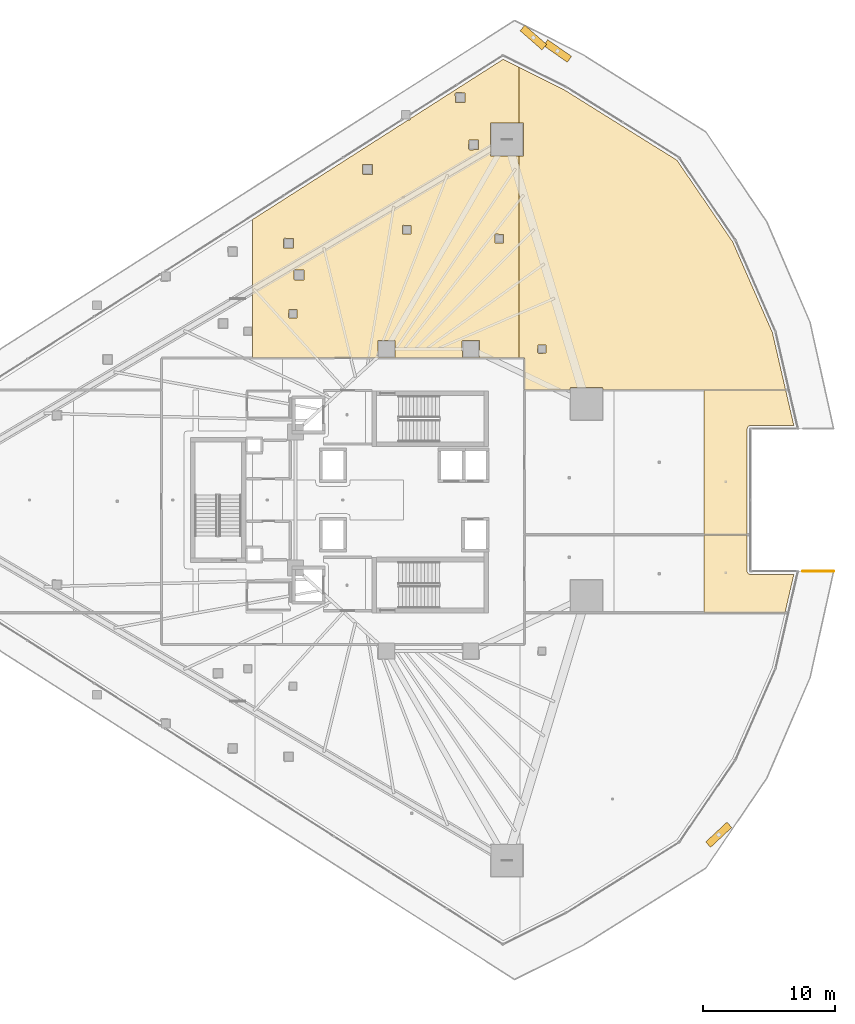
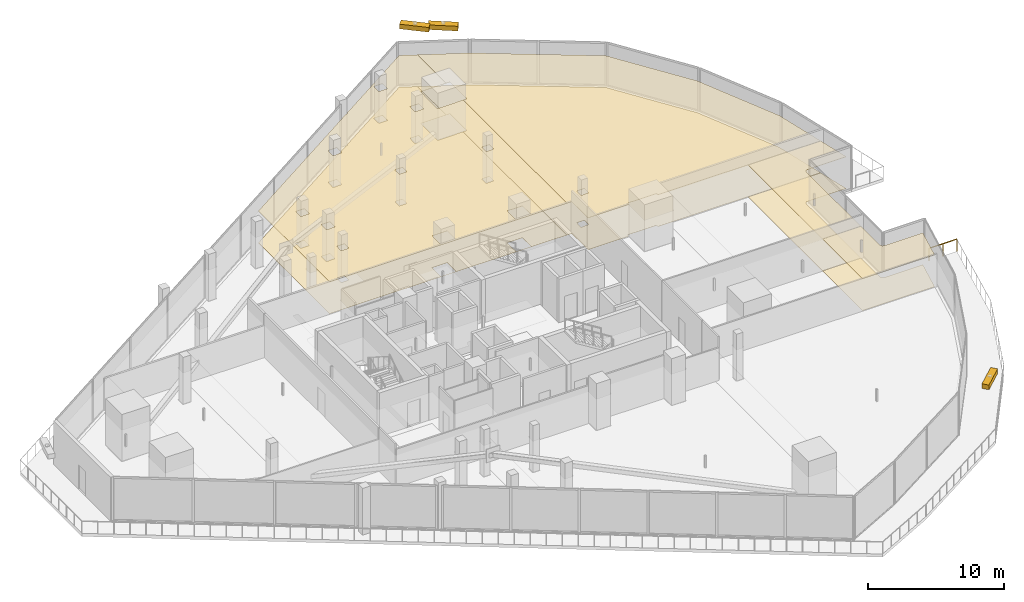
# One storey, part 43 of 43: 8 coverings, 3 shading devices, 1 railing.
"""IFC4 building model written with IfcOpenShell, lengths in metres."""

from ifc_helpers import new_model, si_unit, direction, frame, origin, origin_2d, place, context, subcontext, project, spatial, polyline, rectangle, circle, outline, extrude, material, layer, layer_set, type_object, element, save


model = new_model("IFC4")

# Units and contexts
model_context = context("Model", 3, precision=1e-05, world=origin(), true_north=direction((0.0, 1.0)))
body_context = subcontext(model_context, "Body", "Model", "MODEL_VIEW")
ifc_project = project(units=[si_unit("LENGTHUNIT", "METRE"), si_unit("AREAUNIT", "SQUARE_METRE"), si_unit("VOLUMEUNIT", "CUBIC_METRE"), si_unit("PLANEANGLEUNIT", "RADIAN"), si_unit("MASSUNIT", "GRAM", prefix="KILO")], contexts=[model_context])

# Site, building, storey
site_placement = place(None, origin())
site = spatial("IfcSite", under=ifc_project, at=site_placement, CompositionType="ELEMENT")
building_placement = place(site_placement, origin())
building = spatial("IfcBuilding", under=site, at=building_placement, Name="Qorvath Tower", CompositionType="ELEMENT")
storey_placement = place(building_placement, frame((0.0, 0.0, 36.60009765625)))
storey = spatial("IfcBuildingStorey", under=building, at=storey_placement, Name="L07", CompositionType="ELEMENT", Elevation=36.60009765625)

# Coverings
ifc_material_1 = material(Name="Acoustic mineral fibre ceiling tile", Category="gypsum")
ifc_layer_1 = layer(ifc_material_1, 0.030029296875)
ifc_layer_set_1 = layer_set([ifc_layer_1], Name="COV-CEIL")
covering_type_1 = type_object("IfcCoveringType", Name="COV-CEIL", PredefinedType="CEILING", material=ifc_layer_set_1)
covering_1_placement = place(storey_placement, frame((0.0, 0.0, 2.849853515625)))
element("IfcCovering", 1, at=covering_1_placement, inside=storey, type_object=covering_type_1, Name="L07 Suspended Acoustic Ceiling 011", PredefinedType="CEILING", context=body_context, shape_type="SweptSolid", body=[
    extrude(outline(polyline([(-21.806396484375, 28.820556640625), (-21.92626953125, 28.820556640625), (-33.744140625, 21.267578125), (-33.744140625, 10.762939453125), (-13.540771484375, 10.762939453125), (-13.540771484375, 26.0859375), (-15.664306640625, 26.07080078125), (-15.724365234375, 26.130615234375), (-15.706787109375, 28.5732421875), (-13.540771484375, 28.5732421875), (-13.540771484375, 32.800537109375), (-14.751708984375, 33.406005859375), (-21.746337890625, 28.935546875), (-21.806396484375, 28.820556640625)]), holes=[polyline([(-15.381103515625, 20.093017578125), (-15.321044921875, 20.153076171875), (-14.728759765625, 20.135498046875), (-14.728759765625, 19.500732421875), (-15.363525390625, 19.500732421875), (-15.381103515625, 20.093017578125)]), polyline([(-17.860107421875, 12.050048828125), (-17.800048828125, 12.110107421875), (-16.5576171875, 12.092529296875), (-16.5576171875, 10.8076171875), (-17.842529296875, 10.8076171875), (-17.860107421875, 12.050048828125)]), polyline([(-17.3662109375, 26.604248046875), (-17.3486328125, 27.296630859375), (-16.61376953125, 27.296630859375), (-16.61376953125, 26.561767578125), (-17.30615234375, 26.544189453125), (-17.3662109375, 26.604248046875)]), polyline([(-18.385009765625, 30.824951171875), (-18.324951171875, 30.885009765625), (-17.632568359375, 30.867431640625), (-17.632568359375, 30.132568359375), (-18.367431640625, 30.132568359375), (-18.385009765625, 30.824951171875)]), polyline([(-22.38818359375, 20.77001953125), (-22.328125, 20.829833984375), (-21.73583984375, 20.812255859375), (-21.73583984375, 20.177490234375), (-22.37060546875, 20.177490234375), (-22.38818359375, 20.77001953125)]), polyline([(-24.260009765625, 10.85009765625), (-24.242431640625, 12.092529296875), (-22.95751953125, 12.092529296875), (-22.95751953125, 10.8076171875), (-24.199951171875, 10.7900390625), (-24.260009765625, 10.85009765625)]), polyline([(-25.422607421875, 24.73388671875), (-25.405029296875, 25.42626953125), (-24.670166015625, 25.42626953125), (-24.670166015625, 24.69140625), (-25.362548828125, 24.673828125), (-25.422607421875, 24.73388671875)]), polyline([(-30.60986328125, 16.734619140625), (-30.59228515625, 17.427001953125), (-29.857421875, 17.427001953125), (-29.857421875, 16.692138671875), (-30.5498046875, 16.674560546875), (-30.60986328125, 16.734619140625)]), polyline([(-31.01220703125, 13.849365234375), (-30.99462890625, 14.441650390625), (-30.35986328125, 14.441650390625), (-30.35986328125, 13.806884765625), (-30.9521484375, 13.789306640625), (-31.01220703125, 13.849365234375)]), polyline([(-31.401123046875, 19.785400390625), (-31.341064453125, 19.845458984375), (-30.648681640625, 19.827880859375), (-30.648681640625, 19.093017578125), (-31.383544921875, 19.093017578125), (-31.401123046875, 19.785400390625)])]), origin(), (0.0, 0.0, 1.0), 0.030029296875),
])
covering_2_placement = place(storey_placement, frame((0.0, 0.0, 2.849853515625)))
element("IfcCovering", 2, at=covering_2_placement, inside=storey, type_object=covering_type_1, Name="L07 Suspended Acoustic Ceiling 012", PredefinedType="CEILING", context=body_context, shape_type="SweptSolid", body=[
    extrude(outline(polyline([(-13.540771484375, 32.800537109375), (-13.540771484375, 28.5732421875), (-13.221923828125, 28.5732421875), (-13.221923828125, 26.08837890625), (-13.540771484375, 26.0859375), (-13.540771484375, 10.762939453125), (-13.14208984375, 10.762939453125), (-13.136962890625, 8.35498046875), (-9.690185546875, 8.35498046875), (-9.63037109375, 8.536376953125), (-7.230224609375, 8.536376953125), (-7.17041015625, 8.35498046875), (6.662353515625, 8.35498046875), (5.663818359375, 12.689453125), (2.6494140625, 19.57373046875), (-1.571533203125, 25.755859375), (-10.07763671875, 31.069091796875), (-13.540771484375, 32.800537109375)]), holes=[polyline([(-12.135009765625, 11.175048828125), (-12.117431640625, 11.767333984375), (-11.482666015625, 11.767333984375), (-11.482666015625, 11.132568359375), (-12.074951171875, 11.114990234375), (-12.135009765625, 11.175048828125)])]), origin(), (0.0, 0.0, 1.0), 0.030029296875),
])
covering_3_placement = place(storey_placement, frame((0.0, 0.0, 2.849853515625)))
element("IfcCovering", 3, at=covering_3_placement, inside=storey, type_object=covering_type_1, Name="L07 Suspended Acoustic Ceiling 018", PredefinedType="CEILING", context=body_context, shape_type="SweptSolid", body=[
    extrude(outline(polyline([(3.808837890625, 5.562744140625), (3.93212890625, 5.644287109375), (7.284423828125, 5.655029296875), (6.66650390625, 8.3369140625), (0.477294921875, 8.3369140625), (0.477294921875, -2.6298828125), (3.749755859375, -2.6298828125), (3.749755859375, 5.39990234375), (3.808837890625, 5.562744140625)])), origin(), (0.0, 0.0, 1.0), 0.030029296875),
])
covering_4_placement = place(storey_placement, frame((0.0, 0.0, 2.849853515625)))
element("IfcCovering", 4, at=covering_4_placement, inside=storey, type_object=covering_type_1, Name="L07 Suspended Acoustic Ceiling 021", PredefinedType="CEILING", context=body_context, shape_type="SweptSolid", body=[
    extrude(outline(polyline([(3.841796875, -5.595703125), (3.754638671875, -5.44873046875), (3.749755859375, -2.64794921875), (0.477294921875, -2.64794921875), (0.477294921875, -8.537109375), (6.620361328125, -8.537109375), (7.284423828125, -5.655029296875), (3.980224609375, -5.65380859375), (3.841796875, -5.595703125)])), origin(), (0.0, 0.0, 1.0), 0.030029296875),
])
ifc_material_2 = material(Name="Low-VOC modular carpet tile", Category="textile")
ifc_layer_2 = layer(ifc_material_2, 0.014892578125)
ifc_layer_set_2 = layer_set([ifc_layer_2], Name="COV-FLOOR-CPT")
covering_type_2 = type_object("IfcCoveringType", Name="COV-FLOOR-CPT", PredefinedType="FLOORING", material=ifc_layer_set_2)
covering_5_placement = place(storey_placement, origin())
element("IfcCovering", 5, at=covering_5_placement, inside=storey, type_object=covering_type_2, Name="L07 Floor Finish 011", PredefinedType="FLOORING", context=body_context, shape_type="SweptSolid", body=[
    extrude(outline(polyline([(-21.806396484375, 28.820556640625), (-21.92626953125, 28.820556640625), (-33.744140625, 21.267578125), (-33.744140625, 10.762939453125), (-13.540771484375, 10.762939453125), (-13.540771484375, 26.0859375), (-15.664306640625, 26.07080078125), (-15.724365234375, 26.130615234375), (-15.706787109375, 28.5732421875), (-13.540771484375, 28.5732421875), (-13.540771484375, 32.800537109375), (-14.751708984375, 33.406005859375), (-21.746337890625, 28.935546875), (-21.806396484375, 28.820556640625)]), holes=[polyline([(-15.381103515625, 20.093017578125), (-15.321044921875, 20.153076171875), (-14.728759765625, 20.135498046875), (-14.728759765625, 19.500732421875), (-15.363525390625, 19.500732421875), (-15.381103515625, 20.093017578125)]), polyline([(-17.860107421875, 12.050048828125), (-17.800048828125, 12.110107421875), (-16.5576171875, 12.092529296875), (-16.5576171875, 10.8076171875), (-17.842529296875, 10.8076171875), (-17.860107421875, 12.050048828125)]), polyline([(-17.3662109375, 26.604248046875), (-17.3486328125, 27.296630859375), (-16.61376953125, 27.296630859375), (-16.61376953125, 26.561767578125), (-17.30615234375, 26.544189453125), (-17.3662109375, 26.604248046875)]), polyline([(-18.385009765625, 30.824951171875), (-18.324951171875, 30.885009765625), (-17.632568359375, 30.867431640625), (-17.632568359375, 30.132568359375), (-18.367431640625, 30.132568359375), (-18.385009765625, 30.824951171875)]), polyline([(-22.38818359375, 20.77001953125), (-22.328125, 20.829833984375), (-21.73583984375, 20.812255859375), (-21.73583984375, 20.177490234375), (-22.37060546875, 20.177490234375), (-22.38818359375, 20.77001953125)]), polyline([(-24.260009765625, 10.85009765625), (-24.242431640625, 12.092529296875), (-22.95751953125, 12.092529296875), (-22.95751953125, 10.8076171875), (-24.199951171875, 10.7900390625), (-24.260009765625, 10.85009765625)]), polyline([(-25.422607421875, 24.73388671875), (-25.405029296875, 25.42626953125), (-24.670166015625, 25.42626953125), (-24.670166015625, 24.69140625), (-25.362548828125, 24.673828125), (-25.422607421875, 24.73388671875)]), polyline([(-30.60986328125, 16.734619140625), (-30.59228515625, 17.427001953125), (-29.857421875, 17.427001953125), (-29.857421875, 16.692138671875), (-30.5498046875, 16.674560546875), (-30.60986328125, 16.734619140625)]), polyline([(-31.01220703125, 13.849365234375), (-30.99462890625, 14.441650390625), (-30.35986328125, 14.441650390625), (-30.35986328125, 13.806884765625), (-30.9521484375, 13.789306640625), (-31.01220703125, 13.849365234375)]), polyline([(-31.401123046875, 19.785400390625), (-31.341064453125, 19.845458984375), (-30.648681640625, 19.827880859375), (-30.648681640625, 19.093017578125), (-31.383544921875, 19.093017578125), (-31.401123046875, 19.785400390625)])]), origin(), (0.0, 0.0, 1.0), 0.014892578125),
])
covering_6_placement = place(storey_placement, origin())
element("IfcCovering", 6, at=covering_6_placement, inside=storey, type_object=covering_type_2, Name="L07 Floor Finish 012", PredefinedType="FLOORING", context=body_context, shape_type="SweptSolid", body=[
    extrude(outline(polyline([(-13.540771484375, 32.800537109375), (-13.540771484375, 28.5732421875), (-13.221923828125, 28.5732421875), (-13.221923828125, 26.08837890625), (-13.540771484375, 26.0859375), (-13.540771484375, 10.762939453125), (-13.14208984375, 10.762939453125), (-13.136962890625, 8.35498046875), (-9.690185546875, 8.35498046875), (-9.63037109375, 8.536376953125), (-7.230224609375, 8.536376953125), (-7.17041015625, 8.35498046875), (6.662353515625, 8.35498046875), (5.663818359375, 12.689453125), (2.6494140625, 19.57373046875), (-1.571533203125, 25.755859375), (-10.07763671875, 31.069091796875), (-13.540771484375, 32.800537109375)]), holes=[polyline([(-12.135009765625, 11.175048828125), (-12.117431640625, 11.767333984375), (-11.482666015625, 11.767333984375), (-11.482666015625, 11.132568359375), (-12.074951171875, 11.114990234375), (-12.135009765625, 11.175048828125)])]), origin(), (0.0, 0.0, 1.0), 0.014892578125),
])
covering_7_placement = place(storey_placement, origin())
element("IfcCovering", 7, at=covering_7_placement, inside=storey, type_object=covering_type_2, Name="L07 Floor Finish 018", PredefinedType="FLOORING", context=body_context, shape_type="SweptSolid", body=[
    extrude(outline(polyline([(3.808837890625, 5.562744140625), (3.93212890625, 5.644287109375), (7.284423828125, 5.655029296875), (6.66650390625, 8.3369140625), (0.477294921875, 8.3369140625), (0.477294921875, -2.6298828125), (3.749755859375, -2.6298828125), (3.749755859375, 5.39990234375), (3.808837890625, 5.562744140625)])), origin(), (0.0, 0.0, 1.0), 0.014892578125),
])
covering_8_placement = place(storey_placement, origin())
element("IfcCovering", 8, at=covering_8_placement, inside=storey, type_object=covering_type_2, Name="L07 Floor Finish 021", PredefinedType="FLOORING", context=body_context, shape_type="SweptSolid", body=[
    extrude(outline(polyline([(3.841796875, -5.595703125), (3.754638671875, -5.44873046875), (3.749755859375, -2.64794921875), (0.477294921875, -2.64794921875), (0.477294921875, -8.537109375), (6.620361328125, -8.537109375), (7.284423828125, -5.655029296875), (3.980224609375, -5.65380859375), (3.841796875, -5.595703125)])), origin(), (0.0, 0.0, 1.0), 0.014892578125),
])

# Railing
ifc_material_3 = material(Name="Laminated safety glass and stainless steel AISI 316", Category="steel")
railing_type = type_object("IfcRailingType", Name="RL-EXT-GRD", PredefinedType="GUARDRAIL", material=ifc_material_3)
railing_placement = place(storey_placement, frame((7.954345703125, -5.39990234375, 0.0)))
element("IfcRailing", 9, at=railing_placement, inside=storey, type_object=railing_type, Name="Loggia Perimeter Guardrail L07-1.2", PredefinedType="GUARDRAIL", context=body_context, shape_type="SweptSolid", body=[
    extrude(circle(Radius=0.02392578125, at=origin_2d()), frame((0.0, 0.0, 1.09619140625), z_axis=(1.0, 0.0, 0.0), x_axis=(0.0, 1.0, 0.0)), (0.0, 0.0, 1.0), 2.366455078125),
    extrude(circle(Radius=0.02099609375, at=origin_2d()), origin(), (0.0, 0.0, 1.0), 1.072021484375),
    extrude(circle(Radius=0.02099609375, at=origin_2d()), frame((1.18310546875, 0.0, 0.0)), (0.0, 0.0, 1.0), 1.072021484375),
    extrude(circle(Radius=0.02099609375, at=origin_2d()), frame((2.366455078125, 0.0, 0.0)), (0.0, 0.0, 1.0), 1.072021484375),
])

# Shading devices
ifc_material_4 = material(Name="Anodised bronze-champagne aluminium", Category="aluminium")
shading_device_type = type_object("IfcShadingDeviceType", Name="SD-LOUVRE", PredefinedType="JALOUSIE", material=ifc_material_4)
for number, where, z_axis, x_axis, name in (
    (10, (1.59521484375, -25.375732421875, 3.5), (0.0, 0.0, 1.0), (0.731081061835, 0.682290613321, 0.0), "Sinusoidal Wave Louvre Blade L07-02"),
    (11, (-10.625732421875, 34.038818359375, 3.5), (0.0, 0.0, 1.0), (-0.820169849962, 0.572120107332, 0.0), "Sinusoidal Wave Louvre Blade L07-03"),
    (12, (-12.455810546875, 35.0546875, 3.5), (0.0, 0.0, 1.0), (-0.751350521083, 0.659903322062, 0.0), "Sinusoidal Wave Louvre Blade L07-04"),
):
    element("IfcShadingDevice", number, at=place(storey_placement, frame(where, z_axis=z_axis, x_axis=x_axis)), inside=storey, type_object=shading_device_type, Name=name, PredefinedType="NOTDEFINED", context=body_context, shape_type="SweptSolid", body=[
        extrude(rectangle(XDim=2.199951171875, YDim=0.550048828125, at=origin_2d()), origin(), (0.0, 0.0, 1.0), 0.419921875),
    ])

save(model, "model.ifc")
